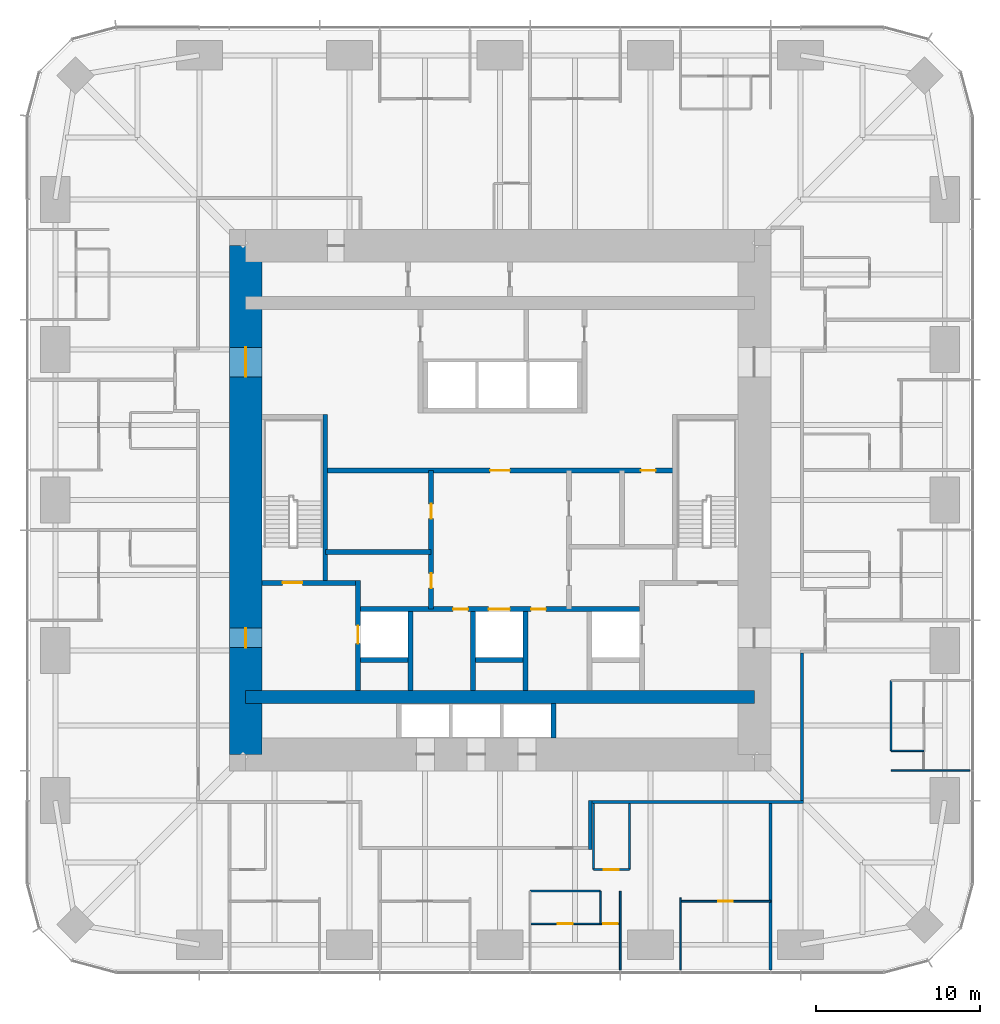
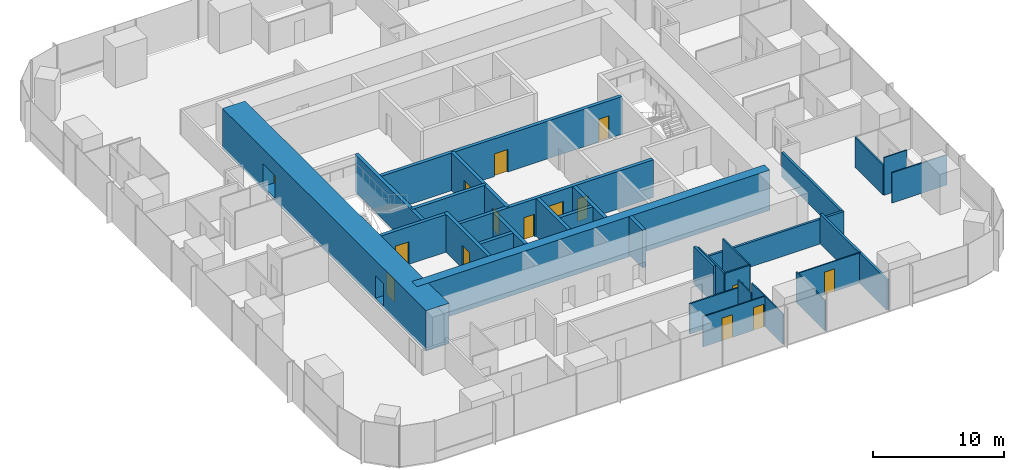
# One storey, part 9 of 13: 31 walls, 15 doors, 15 openings.
"""IFC4 building model written with IfcOpenShell, lengths in metres."""

from ifc_helpers import new_model, si_unit, direction, frame, frame_2d, origin, place, context, subcontext, project, spatial, rectangle, extrude, material, layer, layer_set, type_object, element, fill, save


model = new_model("IFC4")

# Units and contexts
model_context = context("Model", 3, precision=1e-05, world=origin(), true_north=direction((0.0, 1.0)))
body_context = subcontext(model_context, "Body", "Model", "MODEL_VIEW")
ifc_project = project(units=[si_unit("LENGTHUNIT", "METRE"), si_unit("AREAUNIT", "SQUARE_METRE"), si_unit("VOLUMEUNIT", "CUBIC_METRE"), si_unit("PLANEANGLEUNIT", "RADIAN"), si_unit("MASSUNIT", "GRAM", prefix="KILO")], contexts=[model_context])

# Site, building, storey
site_placement = place(None, origin())
site = spatial("IfcSite", under=ifc_project, at=site_placement, CompositionType="ELEMENT")
building_placement = place(site_placement, origin())
building = spatial("IfcBuilding", under=site, at=building_placement, Name="Khuree Lantern Residences", CompositionType="ELEMENT")
storey_placement = place(building_placement, frame((0.0, 0.0, 141.0)))
storey = spatial("IfcBuildingStorey", under=building, at=storey_placement, Name="L35", CompositionType="ELEMENT", Elevation=141.0)

# Wall
ifc_material_1 = material(Name="Moisture-resistant gypsum board on steel studs", Category="steel")
ifc_layer_1 = layer(ifc_material_1, 0.125)
ifc_layer_set_1 = layer_set([ifc_layer_1], Name="BATHROOM WALL BTW125")
wall_type_1 = type_object("IfcWallType", Name="BATHROOM WALL BTW125", PredefinedType="PARTITIONING", material=ifc_layer_set_1)
wall_1_placement = place(storey_placement, frame((1.83203125, -23.829833984375, 0.0), z_axis=(0.0, 0.0, 1.0), x_axis=(1.0, 0.0, 0.0)))
element("IfcWall", 1, at=wall_1_placement, inside=storey, type_object=wall_type_1, Name="L35 BATHROOM WALL 08", PredefinedType="PARTITIONING", context=body_context, shape_type="SweptSolid", body=[
    extrude(rectangle(XDim=4.2958984375, YDim=0.125, at=frame_2d((2.14794921875, 0.0))), origin(), (0.0, 0.0, 1.0), 2.81005859375),
])

# Wall, opening, door
wall_2_placement = place(storey_placement, frame((5.68359375, -22.52978515625, 0.0), z_axis=(0.0, 0.0, 1.0), x_axis=(1.0, 0.0, 0.0)))
wall_2 = element("IfcWall", 2, at=wall_2_placement, inside=storey, type_object=wall_type_1, Name="L35 BATHROOM WALL 08", PredefinedType="PARTITIONING", context=body_context, shape_type="SweptSolid", body=[
    extrude(rectangle(XDim=2.199951171875, YDim=0.125, at=frame_2d((1.10009765625, 0.0))), origin(), (0.0, 0.0, 1.0), 3.5),
])
opening_1_placement = place(wall_2_placement, frame((0.64990234375, 0.0, 0.0)))
opening_1 = element("IfcOpeningElement", 3, at=opening_1_placement, cuts=wall_2, Name="Opening 35-055", PredefinedType="OPENING", context=body_context, shape_type="SweptSolid", body=[
    extrude(rectangle(XDim=0.89990234375, YDim=2.10009765625, at=frame_2d((0.449951171875, 1.050048828125))), frame((0.0, 0.072509765625, 0.0), z_axis=(0.0, -1.0, 0.0), x_axis=(1.0, 0.0, 0.0)), (0.0, 0.0, 1.0), 0.14501953125),
])
ifc_material_2 = material(Name="Timber door leaf in hardwood frame", Category="wood")
door_type_1 = type_object("IfcDoorType", Name="BATHROOM DOOR 900X2100", OperationType="SINGLE_SWING_LEFT", PredefinedType="DOOR", material=ifc_material_2)
door_1_placement = place(opening_1_placement, origin())
door_1 = element("IfcDoor", 4, at=door_1_placement, inside=storey, type_object=door_type_1, Name="Bathroom door 35-055", OperationType="SINGLE_SWING_LEFT", OverallHeight=2.10009765625, OverallWidth=0.89990234375, PredefinedType="DOOR", context=body_context, shape_type="SweptSolid", body=[
    extrude(rectangle(XDim=0.89990234375, YDim=2.10009765625, at=frame_2d((0.449951171875, 1.050048828125))), frame((0.0, 0.02490234375, 0.0), z_axis=(0.0, -1.0, 0.0), x_axis=(1.0, 0.0, 0.0)), (0.0, 0.0, 1.0), 0.050048828125),
])
fill(opening_1, door_1)

# Walls
for number, where, z_axis, x_axis, name in (
    (5, (5.68359375, -18.5, 0.0), (0.0, 0.0, 1.0), (0.0, -1.0, 0.0), "L35 BATHROOM WALL 08"),
    (6, (7.883544921875, -18.5, 0.0), (0.0, 0.0, 1.0), (0.0, -1.0, 0.0), "L35 BATHROOM WALL 08"),
):
    element("IfcWall", number, at=place(storey_placement, frame(where, z_axis=z_axis, x_axis=x_axis)), inside=storey, type_object=wall_type_1, Name=name, PredefinedType="PARTITIONING", context=body_context, shape_type="SweptSolid", body=[
        extrude(rectangle(XDim=4.02978515625, YDim=0.125, at=frame_2d((2.014892578125, 0.0))), origin(), (0.0, 0.0, 1.0), 3.5),
    ])
wall_3_placement = place(storey_placement, frame((23.829833984375, -15.2880859375, 0.0), z_axis=(0.0, 0.0, 1.0), x_axis=(0.0, 1.0, 0.0)))
element("IfcWall", 7, at=wall_3_placement, inside=storey, type_object=wall_type_1, Name="L35 BATHROOM WALL 09", PredefinedType="PARTITIONING", context=body_context, shape_type="SweptSolid", body=[
    extrude(rectangle(XDim=4.296142578125, YDim=0.125, at=frame_2d((2.14794921875, 0.0))), origin(), (0.0, 0.0, 1.0), 2.81005859375),
])

# Wall, opening, door
ifc_material_3 = material(Name="Dense concrete blockwork", Category="masonry")
ifc_layer_2 = layer(ifc_material_3, 0.300048828125)
ifc_layer_set_2 = layer_set([ifc_layer_2], Name="CORE PARTITION WALL CPW300 EI 120")
wall_type_2 = type_object("IfcWallType", Name="CORE PARTITION WALL CPW300 EI 120", PredefinedType="PARTITIONING", material=ifc_layer_set_2)
wall_4_placement = place(storey_placement, frame((-8.64990234375, -11.60009765625, 0.0), z_axis=(0.0, 0.0, 1.0), x_axis=(0.0, 1.0, 0.0)))
wall_4 = element("IfcWall", 8, at=wall_4_placement, inside=storey, type_object=wall_type_2, Name="L35 CORE WALL FL1W", PredefinedType="PARTITIONING", context=body_context, shape_type="SweptSolid", body=[
    extrude(rectangle(XDim=6.7001953125, YDim=0.300048828125, at=frame_2d((3.35009765625, 0.0))), origin(), (0.0, 0.0, 1.0), 3.5),
])
opening_2_placement = place(wall_4_placement, frame((2.85009765625, 0.0, 0.0)))
opening_2 = element("IfcOpeningElement", 9, at=opening_2_placement, cuts=wall_4, Name="Opening 35-007", PredefinedType="OPENING", context=body_context, shape_type="SweptSolid", body=[
    extrude(rectangle(XDim=1.10009765625, YDim=2.10009765625, at=frame_2d((0.550048828125, 1.050048828125))), frame((0.0, 0.16015625, 0.0), z_axis=(0.0, -1.0, 0.0), x_axis=(1.0, 0.0, 0.0)), (0.0, 0.0, 1.0), 0.320068359375),
])
ifc_material_4 = material(Name="Stainless steel lift landing door", Category="steel")
door_type_2 = type_object("IfcDoorType", Name="LIFT LANDING DOOR 1100X2100 E 120", OperationType="DOUBLE_DOOR_SLIDING", PredefinedType="DOOR", material=ifc_material_4)
door_2_placement = place(opening_2_placement, origin())
door_2 = element("IfcDoor", 10, at=door_2_placement, inside=storey, type_object=door_type_2, Name="Landing door FL1 35-007", OperationType="DOUBLE_DOOR_SLIDING", OverallHeight=2.10009765625, OverallWidth=1.10009765625, PredefinedType="DOOR", context=body_context, shape_type="SweptSolid", body=[
    extrude(rectangle(XDim=1.10009765625, YDim=2.10009765625, at=frame_2d((0.550048828125, 1.050048828125))), frame((0.0, 0.02490234375, 0.0), z_axis=(0.0, -1.0, 0.0), x_axis=(1.0, 0.0, 0.0)), (0.0, 0.0, 1.0), 0.050048828125),
])
fill(opening_2, door_2)

# Wall, openings, doors
wall_5_placement = place(storey_placement, frame((-8.5, -6.64990234375, 0.0), z_axis=(0.0, 0.0, 1.0), x_axis=(1.0, 0.0, 0.0)))
wall_5 = element("IfcWall", 11, at=wall_5_placement, inside=storey, type_object=wall_type_2, Name="L35 CORE WALL FLROW", PredefinedType="PARTITIONING", context=body_context, shape_type="SweptSolid", body=[
    extrude(rectangle(XDim=17.0, YDim=0.300048828125, at=frame_2d((8.5, 0.0))), origin(), (0.0, 0.0, 1.0), 3.5),
])
opening_3_placement = place(wall_5_placement, frame((7.800048828125, 0.0, 0.0)))
opening_3 = element("IfcOpeningElement", 12, at=opening_3_placement, cuts=wall_5, Name="Opening 35-012", PredefinedType="OPENING", context=body_context, shape_type="SweptSolid", body=[
    extrude(rectangle(XDim=1.300048828125, YDim=2.39990234375, at=frame_2d((0.64990234375, 1.199951171875))), frame((0.0, 0.16015625, 0.0), z_axis=(0.0, -1.0, 0.0), x_axis=(1.0, 0.0, 0.0)), (0.0, 0.0, 1.0), 0.320068359375),
])
opening_4_placement = place(wall_5_placement, frame((5.64990234375, 0.0, 0.0)))
opening_4 = element("IfcOpeningElement", 13, at=opening_4_placement, cuts=wall_5, Name="Opening 35-014", PredefinedType="OPENING", context=body_context, shape_type="SweptSolid", body=[
    extrude(rectangle(XDim=0.89990234375, YDim=2.10009765625, at=frame_2d((0.449951171875, 1.050048828125))), frame((0.0, 0.16015625, 0.0), z_axis=(0.0, -1.0, 0.0), x_axis=(1.0, 0.0, 0.0)), (0.0, 0.0, 1.0), 0.320068359375),
])
opening_5_placement = place(wall_5_placement, frame((10.39990234375, 0.0, 0.0)))
opening_5 = element("IfcOpeningElement", 14, at=opening_5_placement, cuts=wall_5, Name="Opening 35-015", PredefinedType="OPENING", context=body_context, shape_type="SweptSolid", body=[
    extrude(rectangle(XDim=0.89990234375, YDim=2.10009765625, at=frame_2d((0.449951171875, 1.050048828125))), frame((0.0, 0.16015625, 0.0), z_axis=(0.0, -1.0, 0.0), x_axis=(1.0, 0.0, 0.0)), (0.0, 0.0, 1.0), 0.320068359375),
])
ifc_material_5 = material(Name="Steel door leaf in steel frame", Category="steel")
door_type_3 = type_object("IfcDoorType", Name="DOOR 900X2100 EI 60", OperationType="SINGLE_SWING_LEFT", PredefinedType="DOOR", material=ifc_material_5)
door_3_placement = place(opening_4_placement, origin())
door_3 = element("IfcDoor", 15, at=door_3_placement, inside=storey, type_object=door_type_3, Name="Refuse chute room door 35-014", OperationType="SINGLE_SWING_LEFT", OverallHeight=2.10009765625, OverallWidth=0.89990234375, PredefinedType="DOOR", context=body_context, shape_type="SweptSolid", body=[
    extrude(rectangle(XDim=0.89990234375, YDim=2.10009765625, at=frame_2d((0.449951171875, 1.050048828125))), frame((0.0, 0.02490234375, 0.0), z_axis=(0.0, -1.0, 0.0), x_axis=(1.0, 0.0, 0.0)), (0.0, 0.0, 1.0), 0.050048828125),
])
fill(opening_4, door_3)
door_type_4 = type_object("IfcDoorType", Name="DOOR 900X2100 EI 60 RIGHT HAND", OperationType="SINGLE_SWING_RIGHT", PredefinedType="DOOR", material=ifc_material_5)
door_4_placement = place(opening_5_placement, origin())
door_4 = element("IfcDoor", 16, at=door_4_placement, inside=storey, type_object=door_type_4, Name="Electrical and plumbing riser door 35-015", OperationType="SINGLE_SWING_RIGHT", OverallHeight=2.10009765625, OverallWidth=0.89990234375, PredefinedType="DOOR", context=body_context, shape_type="SweptSolid", body=[
    extrude(rectangle(XDim=0.89990234375, YDim=2.10009765625, at=frame_2d((0.449951171875, 1.050048828125))), frame((0.0, 0.02490234375, 0.0), z_axis=(0.0, -1.0, 0.0), x_axis=(1.0, 0.0, 0.0)), (0.0, 0.0, 1.0), 0.050048828125),
])
fill(opening_5, door_4)
door_type_5 = type_object("IfcDoorType", Name="LIFT LANDING DOOR 1300X2400 E 60", OperationType="DOUBLE_DOOR_SLIDING", PredefinedType="DOOR", material=ifc_material_4)
door_5_placement = place(opening_3_placement, origin())
door_5 = element("IfcDoor", 17, at=door_5_placement, inside=storey, type_object=door_type_5, Name="Landing door SL1 35-012", OperationType="DOUBLE_DOOR_SLIDING", OverallHeight=2.39990234375, OverallWidth=1.300048828125, PredefinedType="DOOR", context=body_context, shape_type="SweptSolid", body=[
    extrude(rectangle(XDim=1.300048828125, YDim=2.39990234375, at=frame_2d((0.64990234375, 1.199951171875))), frame((0.0, 0.02490234375, 0.0), z_axis=(0.0, -1.0, 0.0), x_axis=(1.0, 0.0, 0.0)), (0.0, 0.0, 1.0), 0.050048828125),
])
fill(opening_3, door_5)

# Walls
for number, where, z_axis, x_axis, name in (
    (18, (-5.449951171875, -11.60009765625, 0.0), (0.0, 0.0, 1.0), (0.0, 1.0, 0.0), "L35 CORE WALL FL1E"),
    (19, (-1.64990234375, -11.60009765625, 0.0), (0.0, 0.0, 1.0), (0.0, 1.0, 0.0), "L35 CORE WALL SL1W"),
    (20, (1.550048828125, -11.60009765625, 0.0), (0.0, 0.0, 1.0), (0.0, 1.0, 0.0), "L35 CORE WALL SL1E"),
):
    element("IfcWall", number, at=place(storey_placement, frame(where, z_axis=z_axis, x_axis=x_axis)), inside=storey, type_object=wall_type_2, Name=name, PredefinedType="PARTITIONING", context=body_context, shape_type="SweptSolid", body=[
        extrude(rectangle(XDim=4.800048828125, YDim=0.300048828125, at=frame_2d((2.39990234375, 0.0))), origin(), (0.0, 0.0, 1.0), 3.5),
    ])
for number, where, z_axis, x_axis, name in (
    (21, (-8.5, -9.75, 0.0), (0.0, 0.0, 1.0), (1.0, 0.0, 0.0), "L35 CORE WALL FL1S"),
    (22, (-1.5, -9.75, 0.0), (0.0, 0.0, 1.0), (1.0, 0.0, 0.0), "L35 CORE WALL SL1S"),
):
    element("IfcWall", number, at=place(storey_placement, frame(where, z_axis=z_axis, x_axis=x_axis)), inside=storey, type_object=wall_type_2, Name=name, PredefinedType="PARTITIONING", context=body_context, shape_type="SweptSolid", body=[
        extrude(rectangle(XDim=2.89990234375, YDim=0.300048828125, at=frame_2d((1.449951171875, 0.0))), origin(), (0.0, 0.0, 1.0), 3.5),
    ])
wall_6_placement = place(storey_placement, frame((3.25, -14.5, 0.0), z_axis=(0.0, 0.0, 1.0), x_axis=(0.0, 1.0, 0.0)))
element("IfcWall", 23, at=wall_6_placement, inside=storey, type_object=wall_type_2, Name="L35 CORE WALL PME", PredefinedType="PARTITIONING", context=body_context, shape_type="SweptSolid", body=[
    extrude(rectangle(XDim=2.10009765625, YDim=0.300048828125, at=frame_2d((1.050048828125, 0.0))), origin(), (0.0, 0.0, 1.0), 3.5),
])

# Wall, openings, doors
wall_7_placement = place(storey_placement, frame((-10.64990234375, 1.800048828125, 0.0), z_axis=(0.0, 0.0, 1.0), x_axis=(1.0, 0.0, 0.0)))
wall_7 = element("IfcWall", 24, at=wall_7_placement, inside=storey, type_object=wall_type_2, Name="L35 CORE WALL LLS", PredefinedType="PARTITIONING", context=body_context, shape_type="SweptSolid", body=[
    extrude(rectangle(XDim=21.2998046875, YDim=0.300048828125, at=frame_2d((10.64990234375, 0.0))), origin(), (0.0, 0.0, 1.0), 3.5),
])
opening_6_placement = place(wall_7_placement, frame((10.050048828125, 0.0, 0.0)))
opening_6 = element("IfcOpeningElement", 25, at=opening_6_placement, cuts=wall_7, Name="Opening 35-013", PredefinedType="OPENING", context=body_context, shape_type="SweptSolid", body=[
    extrude(rectangle(XDim=1.199951171875, YDim=2.10009765625, at=frame_2d((0.60009765625, 1.050048828125))), frame((0.0, 0.16015625, 0.0), z_axis=(0.0, -1.0, 0.0), x_axis=(1.0, 0.0, 0.0)), (0.0, 0.0, 1.0), 0.320068359375),
])
opening_7_placement = place(wall_7_placement, frame((19.238037109375, 0.0, 0.0)))
opening_7 = element("IfcOpeningElement", 26, at=opening_7_placement, cuts=wall_7, Name="Opening 35-020", PredefinedType="OPENING", context=body_context, shape_type="SweptSolid", body=[
    extrude(rectangle(XDim=0.89990234375, YDim=2.10009765625, at=frame_2d((0.449951171875, 1.050048828125))), frame((0.0, 0.16015625, 0.0), z_axis=(0.0, -1.0, 0.0), x_axis=(1.0, 0.0, 0.0)), (0.0, 0.0, 1.0), 0.320068359375),
])
door_type_6 = type_object("IfcDoorType", Name="DOOR 1200X2100 EI 60", OperationType="SINGLE_SWING_LEFT", PredefinedType="DOOR", material=ifc_material_5)
door_6_placement = place(opening_6_placement, origin())
door_6 = element("IfcDoor", 27, at=door_6_placement, inside=storey, type_object=door_type_6, Name="Service lift lobby door 35-013", OperationType="SINGLE_SWING_LEFT", OverallHeight=2.10009765625, OverallWidth=1.199951171875, PredefinedType="DOOR", context=body_context, shape_type="SweptSolid", body=[
    extrude(rectangle(XDim=1.199951171875, YDim=2.10009765625, at=frame_2d((0.60009765625, 1.050048828125))), frame((0.0, 0.02490234375, 0.0), z_axis=(0.0, -1.0, 0.0), x_axis=(1.0, 0.0, 0.0)), (0.0, 0.0, 1.0), 0.050048828125),
])
fill(opening_6, door_6)
door_type_7 = type_object("IfcDoorType", Name="DOOR 900X2100 RIGHT HAND", OperationType="SINGLE_SWING_RIGHT", PredefinedType="DOOR", material=ifc_material_2)
door_7_placement = place(opening_7_placement, origin())
door_7 = element("IfcDoor", 28, at=door_7_placement, inside=storey, type_object=door_type_7, Name="Housekeeping store door 35-020", OperationType="SINGLE_SWING_RIGHT", OverallHeight=2.10009765625, OverallWidth=0.89990234375, PredefinedType="DOOR", context=body_context, shape_type="SweptSolid", body=[
    extrude(rectangle(XDim=0.89990234375, YDim=2.10009765625, at=frame_2d((0.449951171875, 1.050048828125))), frame((0.0, 0.02490234375, 0.0), z_axis=(0.0, -1.0, 0.0), x_axis=(1.0, 0.0, 0.0)), (0.0, 0.0, 1.0), 0.050048828125),
])
fill(opening_7, door_7)

wall_8_placement = place(storey_placement, frame((-4.199951171875, -6.64990234375, 0.0), z_axis=(0.0, 0.0, 1.0), x_axis=(0.0, 1.0, 0.0)))
wall_8 = element("IfcWall", 29, at=wall_8_placement, inside=storey, type_object=wall_type_2, Name="L35 CORE WALL SVW", PredefinedType="PARTITIONING", context=body_context, shape_type="SweptSolid", body=[
    extrude(rectangle(XDim=8.449951171875, YDim=0.300048828125, at=frame_2d((4.22509765625, 0.0))), origin(), (0.0, 0.0, 1.0), 3.5),
])
opening_8_placement = place(wall_8_placement, frame((1.284912109375, 0.0, 0.0)))
opening_8 = element("IfcOpeningElement", 30, at=opening_8_placement, cuts=wall_8, Name="Opening 35-016", PredefinedType="OPENING", context=body_context, shape_type="SweptSolid", body=[
    extrude(rectangle(XDim=0.89990234375, YDim=2.10009765625, at=frame_2d((0.449951171875, 1.050048828125))), frame((0.0, 0.16015625, 0.0), z_axis=(0.0, -1.0, 0.0), x_axis=(1.0, 0.0, 0.0)), (0.0, 0.0, 1.0), 0.320068359375),
])
opening_9_placement = place(wall_8_placement, frame((5.510009765625, 0.0, 0.0)))
opening_9 = element("IfcOpeningElement", 31, at=opening_9_placement, cuts=wall_8, Name="Opening 35-017", PredefinedType="OPENING", context=body_context, shape_type="SweptSolid", body=[
    extrude(rectangle(XDim=0.89990234375, YDim=2.10009765625, at=frame_2d((0.449951171875, 1.050048828125))), frame((0.0, 0.16015625, 0.0), z_axis=(0.0, -1.0, 0.0), x_axis=(1.0, 0.0, 0.0)), (0.0, 0.0, 1.0), 0.320068359375),
])
door_type_8 = type_object("IfcDoorType", Name="DOOR 900X2100", OperationType="SINGLE_SWING_LEFT", PredefinedType="DOOR", material=ifc_material_2)
door_8_placement = place(opening_8_placement, origin())
door_8 = element("IfcDoor", 32, at=door_8_placement, inside=storey, type_object=door_type_8, Name="Bulky waste store door 35-016", OperationType="SINGLE_SWING_LEFT", OverallHeight=2.10009765625, OverallWidth=0.89990234375, PredefinedType="DOOR", context=body_context, shape_type="SweptSolid", body=[
    extrude(rectangle(XDim=0.89990234375, YDim=2.10009765625, at=frame_2d((0.449951171875, 1.050048828125))), frame((0.0, 0.02490234375, 0.0), z_axis=(0.0, -1.0, 0.0), x_axis=(1.0, 0.0, 0.0)), (0.0, 0.0, 1.0), 0.050048828125),
])
fill(opening_8, door_8)
door_9_placement = place(opening_9_placement, origin())
door_9 = element("IfcDoor", 33, at=door_9_placement, inside=storey, type_object=door_type_8, Name="Residents' store door 35-017", OperationType="SINGLE_SWING_LEFT", OverallHeight=2.10009765625, OverallWidth=0.89990234375, PredefinedType="DOOR", context=body_context, shape_type="SweptSolid", body=[
    extrude(rectangle(XDim=0.89990234375, YDim=2.10009765625, at=frame_2d((0.449951171875, 1.050048828125))), frame((0.0, 0.02490234375, 0.0), z_axis=(0.0, -1.0, 0.0), x_axis=(1.0, 0.0, 0.0)), (0.0, 0.0, 1.0), 0.050048828125),
])
fill(opening_9, door_9)

# Walls
wall_9_placement = place(storey_placement, frame((-10.64990234375, -3.179931640625, 0.0), z_axis=(0.0, 0.0, 1.0), x_axis=(1.0, 0.0, 0.0)))
element("IfcWall", 34, at=wall_9_placement, inside=storey, type_object=wall_type_2, Name="L35 CORE WALL WX", PredefinedType="PARTITIONING", context=body_context, shape_type="SweptSolid", body=[
    extrude(rectangle(XDim=6.449951171875, YDim=0.300048828125, at=frame_2d((3.22509765625, 0.0))), origin(), (0.0, 0.0, 1.0), 3.5),
])
ifc_material_6 = material(Name="Gypsum board on steel studs", Category="steel")
ifc_layer_3 = layer(ifc_material_6, 0.199951171875)
ifc_layer_set_3 = layer_set([ifc_layer_3], Name="CORRIDOR WALL CRW200 EI 60")
wall_type_3 = type_object("IfcWallType", Name="CORRIDOR WALL CRW200 EI 60", PredefinedType="PARTITIONING", material=ifc_layer_set_3)
wall_10_placement = place(storey_placement, frame((18.39990234375, -18.300048828125, 0.0), z_axis=(0.0, 0.0, 1.0), x_axis=(0.0, 1.0, 0.0)))
element("IfcWall", 35, at=wall_10_placement, inside=storey, type_object=wall_type_3, Name="L35 CORRIDOR WALL EAST 1", PredefinedType="PARTITIONING", context=body_context, shape_type="SweptSolid", body=[
    extrude(rectangle(XDim=8.97216796875, YDim=0.199951171875, at=frame_2d((4.486083984375, 0.0))), origin(), (0.0, 0.0, 1.0), 2.300048828125),
])
wall_11_placement = place(storey_placement, frame((18.5, -18.39990234375, 0.0), z_axis=(0.0, 0.0, 1.0), x_axis=(-1.0, 0.0, 0.0)))
element("IfcWall", 36, at=wall_11_placement, inside=storey, type_object=wall_type_3, Name="L35 CORRIDOR WALL SOUTH 1", PredefinedType="PARTITIONING", context=body_context, shape_type="SweptSolid", body=[
    extrude(rectangle(XDim=12.89990234375, YDim=0.199951171875, at=frame_2d((6.449951171875, 0.0))), origin(), (0.0, 0.0, 1.0), 2.300048828125),
])
wall_12_placement = place(storey_placement, frame((5.5, -18.300048828125, 0.0), z_axis=(0.0, 0.0, 1.0), x_axis=(0.0, -1.0, 0.0)))
element("IfcWall", 37, at=wall_12_placement, inside=storey, type_object=wall_type_3, Name="L35 LIFT LOBBY WALL", PredefinedType="PARTITIONING", context=body_context, shape_type="SweptSolid", body=[
    extrude(rectangle(XDim=3.0, YDim=0.199951171875, at=frame_2d((1.5, 0.0))), origin(), (0.0, 0.0, 1.0), 3.5),
])

# Wall, openings, doors
ifc_material_7 = material(Name="Concrete C70/85", Category="concrete")
ifc_layer_4 = layer(ifc_material_7, 2.0)
ifc_layer_set_4 = layer_set([ifc_layer_4], Name="CW2000-C70 CORE WALL C70 2000")
wall_type_4 = type_object("IfcWallType", Name="CW2000-C70 CORE WALL C70 2000", PredefinedType="SHEAR", material=ifc_layer_set_4)
wall_13_placement = place(storey_placement, frame((-15.5, -15.5, -0.25), z_axis=(0.0, 0.0, 1.0), x_axis=(0.0, 1.0, 0.0)))
wall_13 = element("IfcWall", 38, at=wall_13_placement, inside=storey, type_object=wall_type_4, Name="Core wall W", PredefinedType="SHEAR", context=body_context, shape_type="SweptSolid", body=[
    extrude(rectangle(XDim=31.0, YDim=2.0, at=frame_2d((15.5, 0.0))), origin(), (0.0, 0.0, 1.0), 3.75),
])
opening_10_placement = place(wall_13_placement, frame((6.5, 0.0, 0.25)))
opening_10 = element("IfcOpeningElement", 39, at=opening_10_placement, cuts=wall_13, Name="Opening 35-002", PredefinedType="OPENING", context=body_context, shape_type="SweptSolid", body=[
    extrude(rectangle(XDim=1.199951171875, YDim=2.10009765625, at=frame_2d((0.60009765625, 1.050048828125))), frame((0.0, 1.010009765625, 0.0), z_axis=(0.0, -1.0, 0.0), x_axis=(1.0, 0.0, 0.0)), (0.0, 0.0, 1.0), 2.02001953125),
])
opening_11_placement = place(wall_13_placement, frame((23.0, 0.0, 0.25)))
opening_11 = element("IfcOpeningElement", 40, at=opening_11_placement, cuts=wall_13, Name="Opening 35-003", PredefinedType="OPENING", context=body_context, shape_type="SweptSolid", body=[
    extrude(rectangle(XDim=1.800048828125, YDim=2.10009765625, at=frame_2d((0.89990234375, 1.050048828125))), frame((0.0, 1.010009765625, 0.0), z_axis=(0.0, -1.0, 0.0), x_axis=(1.0, 0.0, 0.0)), (0.0, 0.0, 1.0), 2.02001953125),
])
door_type_9 = type_object("IfcDoorType", Name="LOBBY DOOR 1200X2100 EI 120", OperationType="SINGLE_SWING_LEFT", PredefinedType="DOOR", material=ifc_material_5)
door_10_placement = place(opening_10_placement, origin())
door_10 = element("IfcDoor", 41, at=door_10_placement, inside=storey, type_object=door_type_9, Name="Firefighting lobby door 35-002", OperationType="SINGLE_SWING_LEFT", OverallHeight=2.10009765625, OverallWidth=1.199951171875, PredefinedType="DOOR", context=body_context, shape_type="SweptSolid", body=[
    extrude(rectangle(XDim=1.199951171875, YDim=2.10009765625, at=frame_2d((0.60009765625, 1.050048828125))), frame((0.0, 0.02490234375, 0.0), z_axis=(0.0, -1.0, 0.0), x_axis=(1.0, 0.0, 0.0)), (0.0, 0.0, 1.0), 0.050048828125),
])
fill(opening_10, door_10)
door_type_10 = type_object("IfcDoorType", Name="LOBBY DOUBLE DOOR 1800X2100 EI 60", OperationType="DOUBLE_DOOR_SINGLE_SWING", PredefinedType="DOOR", material=ifc_material_5)
door_11_placement = place(opening_11_placement, origin())
door_11 = element("IfcDoor", 42, at=door_11_placement, inside=storey, type_object=door_type_10, Name="Lift lobby door 35-003", OperationType="DOUBLE_DOOR_SINGLE_SWING", OverallHeight=2.10009765625, OverallWidth=1.800048828125, PredefinedType="DOOR", context=body_context, shape_type="SweptSolid", body=[
    extrude(rectangle(XDim=1.800048828125, YDim=2.10009765625, at=frame_2d((0.89990234375, 1.050048828125))), frame((0.0, 0.02490234375, 0.0), z_axis=(0.0, -1.0, 0.0), x_axis=(1.0, 0.0, 0.0)), (0.0, 0.0, 1.0), 0.050048828125),
])
fill(opening_11, door_11)

# Walls
ifc_layer_5 = layer(ifc_material_6, 0.199951171875)
ifc_layer_set_5 = layer_set([ifc_layer_5], Name="DEMISING WALL DMW200 EI 90")
wall_type_5 = type_object("IfcWallType", Name="DEMISING WALL DMW200 EI 90", PredefinedType="PARTITIONING", material=ifc_layer_set_5)
wall_14_placement = place(storey_placement, frame((16.488037109375, -18.5, 0.0), z_axis=(0.0, 0.0, 1.0), x_axis=(0.0, -1.0, 0.0)))
element("IfcWall", 43, at=wall_14_placement, inside=storey, type_object=wall_type_5, Name="L35 DEMISING WALL 09", PredefinedType="PARTITIONING", context=body_context, shape_type="SweptSolid", body=[
    extrude(rectangle(XDim=10.14990234375, YDim=0.199951171875, at=frame_2d((5.074951171875, 0.0))), origin(), (0.0, 0.0, 1.0), 2.81005859375),
])
ifc_layer_6 = layer(ifc_material_6, 0.10009765625)
ifc_layer_set_6 = layer_set([ifc_layer_6], Name="PARTITION PT100")
wall_type_6 = type_object("IfcWallType", Name="PARTITION PT100", PredefinedType="PARTITIONING", material=ifc_layer_set_6)
wall_15_placement = place(storey_placement, frame((7.327880859375, -23.829833984375, 0.0), z_axis=(0.0, 0.0, 1.0), x_axis=(0.0, -1.0, 0.0)))
element("IfcWall", 44, at=wall_15_placement, inside=storey, type_object=wall_type_6, Name="L35 PARTITION 08", PredefinedType="PARTITIONING", context=body_context, shape_type="SweptSolid", body=[
    extrude(rectangle(XDim=4.820068359375, YDim=0.10009765625, at=frame_2d((2.41015625, 0.0))), origin(), (0.0, 0.0, 1.0), 2.81005859375),
])
wall_16_placement = place(storey_placement, frame((10.991943359375, -24.25, 0.0), z_axis=(0.0, 0.0, 1.0), x_axis=(0.0, -1.0, 0.0)))
element("IfcWall", 45, at=wall_16_placement, inside=storey, type_object=wall_type_6, Name="L35 PARTITION 08", PredefinedType="PARTITIONING", context=body_context, shape_type="SweptSolid", body=[
    extrude(rectangle(XDim=4.39990234375, YDim=0.10009765625, at=frame_2d((2.199951171875, 0.0))), origin(), (0.0, 0.0, 1.0), 2.81005859375),
])
wall_17_placement = place(storey_placement, frame((23.829833984375, -16.488037109375, 0.0), z_axis=(0.0, 0.0, 1.0), x_axis=(1.0, 0.0, 0.0)))
element("IfcWall", 46, at=wall_17_placement, inside=storey, type_object=wall_type_6, Name="L35 PARTITION 09", PredefinedType="PARTITIONING", context=body_context, shape_type="SweptSolid", body=[
    extrude(rectangle(XDim=4.820068359375, YDim=0.10009765625, at=frame_2d((2.41015625, 0.0))), origin(), (0.0, 0.0, 1.0), 2.81005859375),
])

# Wall, openings, doors
wall_18_placement = place(storey_placement, frame((1.83203125, -25.829833984375, 0.0), z_axis=(0.0, 0.0, 1.0), x_axis=(1.0, 0.0, 0.0)))
wall_18 = element("IfcWall", 47, at=wall_18_placement, inside=storey, type_object=wall_type_6, Name="L35 PARTITION 08", PredefinedType="PARTITIONING", context=body_context, shape_type="SweptSolid", body=[
    extrude(rectangle(XDim=5.495849609375, YDim=0.10009765625, at=frame_2d((2.748046875, 0.0))), origin(), (0.0, 0.0, 1.0), 2.81005859375),
])
opening_12_placement = place(wall_18_placement, frame((4.446044921875, 0.0, 0.0)))
opening_12 = element("IfcOpeningElement", 48, at=opening_12_placement, cuts=wall_18, Name="Opening 35-052", PredefinedType="OPENING", context=body_context, shape_type="SweptSolid", body=[
    extrude(rectangle(XDim=0.89990234375, YDim=2.10009765625, at=frame_2d((0.449951171875, 1.050048828125))), frame((0.0, 0.06005859375, 0.0), z_axis=(0.0, -1.0, 0.0), x_axis=(1.0, 0.0, 0.0)), (0.0, 0.0, 1.0), 0.1201171875),
])
opening_13_placement = place(wall_18_placement, frame((1.697998046875, 0.0, 0.0)))
opening_13 = element("IfcOpeningElement", 49, at=opening_13_placement, cuts=wall_18, Name="Opening 35-053", PredefinedType="OPENING", context=body_context, shape_type="SweptSolid", body=[
    extrude(rectangle(XDim=0.89990234375, YDim=2.10009765625, at=frame_2d((0.449951171875, 1.050048828125))), frame((0.0, 0.06005859375, 0.0), z_axis=(0.0, -1.0, 0.0), x_axis=(1.0, 0.0, 0.0)), (0.0, 0.0, 1.0), 0.1201171875),
])
door_12_placement = place(opening_13_placement, origin())
door_12 = element("IfcDoor", 50, at=door_12_placement, inside=storey, type_object=door_type_1, Name="Bathroom door 35-053", OperationType="SINGLE_SWING_LEFT", OverallHeight=2.10009765625, OverallWidth=0.89990234375, PredefinedType="DOOR", context=body_context, shape_type="SweptSolid", body=[
    extrude(rectangle(XDim=0.89990234375, YDim=2.10009765625, at=frame_2d((0.449951171875, 1.050048828125))), frame((0.0, 0.02490234375, 0.0), z_axis=(0.0, -1.0, 0.0), x_axis=(1.0, 0.0, 0.0)), (0.0, 0.0, 1.0), 0.050048828125),
])
fill(opening_13, door_12)
door_type_11 = type_object("IfcDoorType", Name="BEDROOM DOOR 900X2100", OperationType="SINGLE_SWING_LEFT", PredefinedType="DOOR", material=ifc_material_2)
door_13_placement = place(opening_12_placement, origin())
door_13 = element("IfcDoor", 51, at=door_13_placement, inside=storey, type_object=door_type_11, Name="Bedroom door 35-052", OperationType="SINGLE_SWING_LEFT", OverallHeight=2.10009765625, OverallWidth=0.89990234375, PredefinedType="DOOR", context=body_context, shape_type="SweptSolid", body=[
    extrude(rectangle(XDim=0.89990234375, YDim=2.10009765625, at=frame_2d((0.449951171875, 1.050048828125))), frame((0.0, 0.02490234375, 0.0), z_axis=(0.0, -1.0, 0.0), x_axis=(1.0, 0.0, 0.0)), (0.0, 0.0, 1.0), 0.050048828125),
])
fill(opening_12, door_13)

# Wall
wall_19_placement = place(storey_placement, frame((6.1279296875, -23.829833984375, 0.0), z_axis=(0.0, 0.0, 1.0), x_axis=(0.0, -1.0, 0.0)))
element("IfcWall", 52, at=wall_19_placement, inside=storey, type_object=wall_type_6, Name="L35 PARTITION 08", PredefinedType="PARTITIONING", context=body_context, shape_type="SweptSolid", body=[
    extrude(rectangle(XDim=2.0, YDim=0.10009765625, at=frame_2d((1.0, 0.0))), origin(), (0.0, 0.0, 1.0), 3.5),
])

# Wall, opening, door
wall_20_placement = place(storey_placement, frame((10.991943359375, -24.449951171875, 0.0), z_axis=(0.0, 0.0, 1.0), x_axis=(1.0, 0.0, 0.0)))
wall_20 = element("IfcWall", 53, at=wall_20_placement, inside=storey, type_object=wall_type_6, Name="L35 PARTITION 08", PredefinedType="PARTITIONING", context=body_context, shape_type="SweptSolid", body=[
    extrude(rectangle(XDim=5.49609375, YDim=0.10009765625, at=frame_2d((2.748046875, 0.0))), origin(), (0.0, 0.0, 1.0), 2.81005859375),
])
opening_14_placement = place(wall_20_placement, frame((2.298095703125, 0.0, 0.0)))
opening_14 = element("IfcOpeningElement", 54, at=opening_14_placement, cuts=wall_20, Name="Opening 35-054", PredefinedType="OPENING", context=body_context, shape_type="SweptSolid", body=[
    extrude(rectangle(XDim=0.89990234375, YDim=2.10009765625, at=frame_2d((0.449951171875, 1.050048828125))), frame((0.0, 0.06005859375, 0.0), z_axis=(0.0, -1.0, 0.0), x_axis=(1.0, 0.0, 0.0)), (0.0, 0.0, 1.0), 0.1201171875),
])
door_type_12 = type_object("IfcDoorType", Name="BEDROOM DOOR 900X2100 RIGHT HAND", OperationType="SINGLE_SWING_RIGHT", PredefinedType="DOOR", material=ifc_material_2)
door_14_placement = place(opening_14_placement, origin())
door_14 = element("IfcDoor", 55, at=door_14_placement, inside=storey, type_object=door_type_12, Name="Bedroom door 35-054", OperationType="SINGLE_SWING_RIGHT", OverallHeight=2.10009765625, OverallWidth=0.89990234375, PredefinedType="DOOR", context=body_context, shape_type="SweptSolid", body=[
    extrude(rectangle(XDim=0.89990234375, YDim=2.10009765625, at=frame_2d((0.449951171875, 1.050048828125))), frame((0.0, 0.02490234375, 0.0), z_axis=(0.0, -1.0, 0.0), x_axis=(1.0, 0.0, 0.0)), (0.0, 0.0, 1.0), 0.050048828125),
])
fill(opening_14, door_14)

# Walls
wall_21_placement = place(storey_placement, frame((23.829833984375, -15.2880859375, 0.0), z_axis=(0.0, 0.0, 1.0), x_axis=(1.0, 0.0, 0.0)))
element("IfcWall", 56, at=wall_21_placement, inside=storey, type_object=wall_type_6, Name="L35 PARTITION 09", PredefinedType="PARTITIONING", context=body_context, shape_type="SweptSolid", body=[
    extrude(rectangle(XDim=2.0, YDim=0.10009765625, at=frame_2d((1.0, 0.0))), origin(), (0.0, 0.0, 1.0), 3.5),
])
ifc_layer_7 = layer(ifc_material_7, 0.800048828125)
ifc_layer_set_7 = layer_set([ifc_layer_7], Name="SP800-C70 CORE SPINE WALL C70 800")
wall_type_7 = type_object("IfcWallType", Name="SP800-C70 CORE SPINE WALL C70 800", PredefinedType="SHEAR", material=ifc_layer_set_7)
wall_22_placement = place(storey_placement, frame((-15.5, -12.0, -0.25), z_axis=(0.0, 0.0, 1.0), x_axis=(1.0, 0.0, 0.0)))
element("IfcWall", 57, at=wall_22_placement, inside=storey, type_object=wall_type_7, Name="Core wall SPS", PredefinedType="SHEAR", context=body_context, shape_type="SweptSolid", body=[
    extrude(rectangle(XDim=31.0, YDim=0.800048828125, at=frame_2d((15.5, 0.0))), origin(), (0.0, 0.0, 1.0), 3.75),
])
ifc_material_8 = material(Name="Concrete C50/60", Category="concrete")
ifc_layer_8 = layer(ifc_material_8, 0.300048828125)
ifc_layer_set_8 = layer_set([ifc_layer_8], Name="STAIR WALL SRW300 C50/60 REI 240")
wall_type_8 = type_object("IfcWallType", Name="STAIR WALL SRW300 C50/60 REI 240", PredefinedType="SOLIDWALL", material=ifc_layer_set_8)
wall_23_placement = place(storey_placement, frame((-10.64990234375, -4.89990234375, 0.0), z_axis=(0.0, 0.0, 1.0), x_axis=(0.0, 1.0, 0.0)))
element("IfcWall", 58, at=wall_23_placement, inside=storey, type_object=wall_type_8, Name="L35 STAIR WALL ST1E", PredefinedType="SOLIDWALL", context=body_context, shape_type="SweptSolid", body=[
    extrude(rectangle(XDim=10.099853515625, YDim=0.300048828125, at=frame_2d((5.0498046875, 0.0))), origin(), (0.0, 0.0, 1.0), 3.5),
])

# Wall, opening, door
wall_24_placement = place(storey_placement, frame((-14.5, -5.050048828125, 0.0), z_axis=(0.0, 0.0, 1.0), x_axis=(1.0, 0.0, 0.0)))
wall_24 = element("IfcWall", 59, at=wall_24_placement, inside=storey, type_object=wall_type_8, Name="L35 STAIR WALL ST1S", PredefinedType="SOLIDWALL", context=body_context, shape_type="SweptSolid", body=[
    extrude(rectangle(XDim=5.699951171875, YDim=0.300048828125, at=frame_2d((2.85009765625, 0.0))), origin(), (0.0, 0.0, 1.0), 3.5),
])
opening_15_placement = place(wall_24_placement, frame((1.25, 0.0, 0.0)))
opening_15 = element("IfcOpeningElement", 60, at=opening_15_placement, cuts=wall_24, Name="Opening 35-001", PredefinedType="OPENING", context=body_context, shape_type="SweptSolid", body=[
    extrude(rectangle(XDim=1.199951171875, YDim=2.10009765625, at=frame_2d((0.60009765625, 1.050048828125))), frame((0.0, 0.16015625, 0.0), z_axis=(0.0, -1.0, 0.0), x_axis=(1.0, 0.0, 0.0)), (0.0, 0.0, 1.0), 0.320068359375),
])
door_type_13 = type_object("IfcDoorType", Name="STAIR DOOR 1200X2100 EI 120", OperationType="SINGLE_SWING_LEFT", PredefinedType="DOOR", material=ifc_material_5)
door_15_placement = place(opening_15_placement, origin())
door_15 = element("IfcDoor", 61, at=door_15_placement, inside=storey, type_object=door_type_13, Name="Stair ST1 door 35-001", OperationType="SINGLE_SWING_LEFT", OverallHeight=2.10009765625, OverallWidth=1.199951171875, PredefinedType="DOOR", context=body_context, shape_type="SweptSolid", body=[
    extrude(rectangle(XDim=1.199951171875, YDim=2.10009765625, at=frame_2d((0.60009765625, 1.050048828125))), frame((0.0, 0.02490234375, 0.0), z_axis=(0.0, -1.0, 0.0), x_axis=(1.0, 0.0, 0.0)), (0.0, 0.0, 1.0), 0.050048828125),
])
fill(opening_15, door_15)

save(model, "model.ifc")
